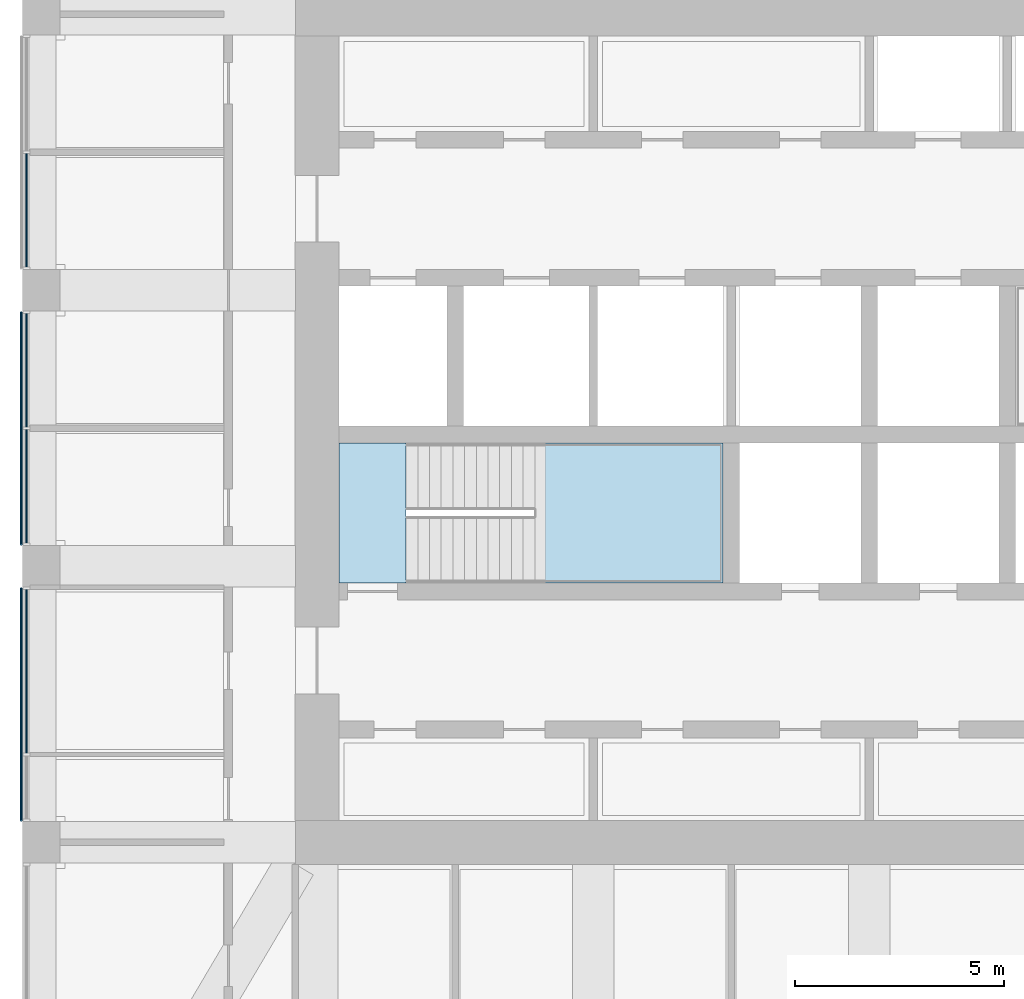
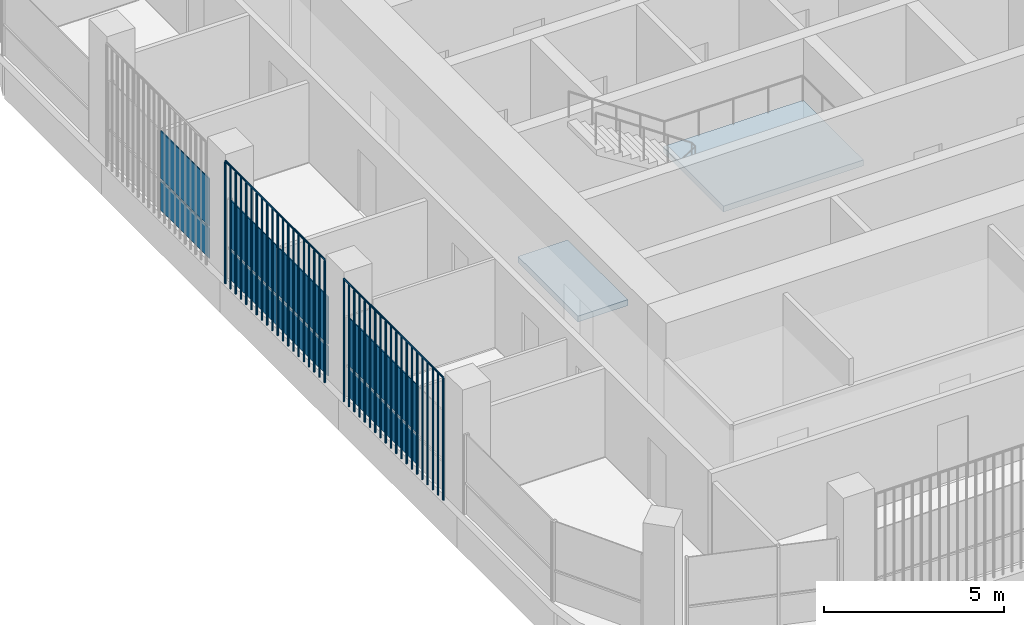
# One storey, part 9 of 21: 10 plates, 2 slabs, 4 elements without a shape of their own.
"""IFC4 building model written with IfcOpenShell, lengths in metres."""

from ifc_helpers import new_model, si_unit, direction, frame, origin, origin_2d, place, context, subcontext, project, spatial, polyline, rectangle, outline, extrude, material, layer, layer_set, type_object, element, aggregate, save


model = new_model("IFC4")

# Units and contexts
model_context = context("Model", 3, precision=1e-05, world=origin(), true_north=direction((0.0, 1.0)))
body_context = subcontext(model_context, "Body", "Model", "MODEL_VIEW")
ifc_project = project(units=[si_unit("LENGTHUNIT", "METRE"), si_unit("AREAUNIT", "SQUARE_METRE"), si_unit("VOLUMEUNIT", "CUBIC_METRE"), si_unit("PLANEANGLEUNIT", "RADIAN"), si_unit("MASSUNIT", "GRAM", prefix="KILO")], contexts=[model_context])

# Site, building, storey
site_placement = place(None, origin())
site = spatial("IfcSite", under=ifc_project, at=site_placement, CompositionType="ELEMENT")
building_placement = place(site_placement, origin())
building = spatial("IfcBuilding", under=site, at=building_placement, Name="Cobogo Forest Laboratory Tower", CompositionType="ELEMENT")
storey_placement = place(building_placement, frame((0.0, 0.0, 267.0)))
storey = spatial("IfcBuildingStorey", under=building, at=storey_placement, Name="L61", CompositionType="ELEMENT", Elevation=267.0)

# Curtain wall, plates
ifc_material_1 = material(Name="Aluminium curtain wall", Category="aluminium")
curtain_wall_type = type_object("IfcCurtainWallType", Name="CW-2 unitised curtain wall, solar control glazing, laboratory floors zones C and D", PredefinedType="USERDEFINED", material=ifc_material_1)
curtain_wall_1_placement = place(storey_placement, origin())
curtain_wall_1 = element("IfcCurtainWall", 1, at=curtain_wall_1_placement, inside=storey, type_object=curtain_wall_type, Name="Curtain wall 21 L61", ObjectType="UNITISED CURTAIN WALL", PredefinedType="USERDEFINED")
ifc_material_2 = material(Name="Solar control insulated glass", Category="glass")
ifc_layer_1 = layer(ifc_material_2, 0.031982421875)
ifc_layer_set_1 = layer_set([ifc_layer_1], Name="GP-2 solar control glass unit 32")
plate_type_1 = type_object("IfcPlateType", Name="GP-2 solar control glass unit 32", PredefinedType="CURTAIN_PANEL", material=ifc_layer_set_1)
plate_1_placement = place(storey_placement, frame((6.25, 28.31494140625, 0.0), z_axis=(0.0, 0.0, 1.0), x_axis=(0.0, -1.0, 0.0)))
plate_1 = element("IfcPlate", 2, at=plate_1_placement, type_object=plate_type_1, Name="CW-2 panel 2.1", PredefinedType="CURTAIN_PANEL", context=body_context, shape_type="SweptSolid", body=[
    extrude(rectangle(XDim=2.7099609375, YDim=0.031982421875, at=origin_2d()), origin(), (0.0, 0.0, 1.0), 1.02001953125),
])
plate_2_placement = place(storey_placement, frame((6.25, 28.31494140625, 1.079833984375), z_axis=(0.0, 0.0, 1.0), x_axis=(0.0, -1.0, 0.0)))
plate_2 = element("IfcPlate", 3, at=plate_2_placement, type_object=plate_type_1, Name="CW-2 panel 2.2", PredefinedType="CURTAIN_PANEL", context=body_context, shape_type="SweptSolid", body=[
    extrude(rectangle(XDim=2.7099609375, YDim=0.031982421875, at=origin_2d()), origin(), (0.0, 0.0, 1.0), 1.6201171875),
])
aggregate(curtain_wall_1, [plate_1, plate_2])

curtain_wall_2_placement = place(storey_placement, origin())
curtain_wall_2 = element("IfcCurtainWall", 4, at=curtain_wall_2_placement, inside=storey, type_object=curtain_wall_type, Name="Curtain wall 22 L61", ObjectType="UNITISED CURTAIN WALL", PredefinedType="USERDEFINED")
plate_3_placement = place(storey_placement, frame((6.25, 24.485107421875, 0.0), z_axis=(0.0, 0.0, 1.0), x_axis=(0.0, -1.0, 0.0)))
plate_3 = element("IfcPlate", 5, at=plate_3_placement, type_object=plate_type_1, Name="CW-2 panel 1.1", PredefinedType="CURTAIN_PANEL", context=body_context, shape_type="SweptSolid", body=[
    extrude(rectangle(XDim=2.7099609375, YDim=0.031982421875, at=origin_2d()), origin(), (0.0, 0.0, 1.0), 1.02001953125),
])
plate_4_placement = place(storey_placement, frame((6.25, 24.485107421875, 1.079833984375), z_axis=(0.0, 0.0, 1.0), x_axis=(0.0, -1.0, 0.0)))
plate_4 = element("IfcPlate", 6, at=plate_4_placement, type_object=plate_type_1, Name="CW-2 panel 1.2", PredefinedType="CURTAIN_PANEL", context=body_context, shape_type="SweptSolid", body=[
    extrude(rectangle(XDim=2.7099609375, YDim=0.031982421875, at=origin_2d()), origin(), (0.0, 0.0, 1.0), 1.6201171875),
])
plate_5_placement = place(storey_placement, frame((6.25, 21.715087890625, 0.0), z_axis=(0.0, 0.0, 1.0), x_axis=(0.0, -1.0, 0.0)))
plate_5 = element("IfcPlate", 7, at=plate_5_placement, type_object=plate_type_1, Name="CW-2 panel 2.1", PredefinedType="CURTAIN_PANEL", context=body_context, shape_type="SweptSolid", body=[
    extrude(rectangle(XDim=2.7099609375, YDim=0.031982421875, at=origin_2d()), origin(), (0.0, 0.0, 1.0), 1.02001953125),
])
plate_6_placement = place(storey_placement, frame((6.25, 21.715087890625, 1.079833984375), z_axis=(0.0, 0.0, 1.0), x_axis=(0.0, -1.0, 0.0)))
plate_6 = element("IfcPlate", 8, at=plate_6_placement, type_object=plate_type_1, Name="CW-2 panel 2.2", PredefinedType="CURTAIN_PANEL", context=body_context, shape_type="SweptSolid", body=[
    extrude(rectangle(XDim=2.7099609375, YDim=0.031982421875, at=origin_2d()), origin(), (0.0, 0.0, 1.0), 1.6201171875),
])
aggregate(curtain_wall_2, [plate_3, plate_4, plate_5, plate_6])

curtain_wall_3_placement = place(storey_placement, origin())
curtain_wall_3 = element("IfcCurtainWall", 9, at=curtain_wall_3_placement, inside=storey, type_object=curtain_wall_type, Name="Curtain wall 23 L61", ObjectType="UNITISED CURTAIN WALL", PredefinedType="USERDEFINED")
plate_7_placement = place(storey_placement, frame((6.25, 17.284912109375, 0.0), z_axis=(0.0, 0.0, 1.0), x_axis=(0.0, -1.0, 0.0)))
plate_7 = element("IfcPlate", 10, at=plate_7_placement, type_object=plate_type_1, Name="CW-2 panel 1.1", PredefinedType="CURTAIN_PANEL", context=body_context, shape_type="SweptSolid", body=[
    extrude(rectangle(XDim=3.909912109375, YDim=0.031982421875, at=origin_2d()), origin(), (0.0, 0.0, 1.0), 1.02001953125),
])
plate_8_placement = place(storey_placement, frame((6.25, 17.284912109375, 1.079833984375), z_axis=(0.0, 0.0, 1.0), x_axis=(0.0, -1.0, 0.0)))
plate_8 = element("IfcPlate", 11, at=plate_8_placement, type_object=plate_type_1, Name="CW-2 panel 1.2", PredefinedType="CURTAIN_PANEL", context=body_context, shape_type="SweptSolid", body=[
    extrude(rectangle(XDim=3.909912109375, YDim=0.031982421875, at=origin_2d()), origin(), (0.0, 0.0, 1.0), 1.6201171875),
])
aggregate(curtain_wall_3, [plate_7, plate_8])

# Stair, slabs
ifc_material_3 = material(Name="Precast concrete HA-40 (C40/50)", Category="concrete")
stair_type = type_object("IfcStairType", Name="ST24 exit stair 24 risers", PredefinedType="HALF_TURN_STAIR", material=ifc_material_3)
stair_placement = place(storey_placement, origin())
stair = element("IfcStair", 12, at=stair_placement, inside=storey, type_object=stair_type, Name="Stair 1 L61 to L62", PredefinedType="HALF_TURN_STAIR")
ifc_material_4 = material(Name="Concrete HA-40 (C40/50)", Category="concrete")
ifc_layer_2 = layer(ifc_material_4, 0.199951171875)
ifc_layer_set_2 = layer_set([ifc_layer_2], Name="SL stair landing 200")
slab_type = type_object("IfcSlabType", Name="SL stair landing 200", PredefinedType="LANDING", material=ifc_layer_set_2)
slab_1_placement = place(storey_placement, frame((0.0, 0.0, -0.199951171875)))
slab_1 = element("IfcSlab", 13, at=slab_1_placement, type_object=slab_type, Name="ST1 landing 1", PredefinedType="LANDING", context=body_context, shape_type="SweptSolid", body=[
    extrude(outline(polyline([(13.72509765625, 19.39990234375), (15.326904296875, 19.39990234375), (15.326904296875, 22.75), (13.72509765625, 22.75), (13.72509765625, 19.39990234375)])), origin(), (0.0, 0.0, 1.0), 0.199951171875),
])
slab_2_placement = place(storey_placement, frame((0.0, 0.0, 1.89990234375)))
slab_2 = element("IfcSlab", 14, at=slab_2_placement, type_object=slab_type, Name="ST1 landing 2", PredefinedType="LANDING", context=body_context, shape_type="SweptSolid", body=[
    extrude(outline(polyline([(18.403076171875, 19.39990234375), (22.89990234375, 19.39990234375), (22.89990234375, 22.75), (18.403076171875, 22.75), (18.403076171875, 19.39990234375)])), origin(), (0.0, 0.0, 1.0), 0.2001953125),
])
aggregate(stair, [slab_1, slab_2])

# Plates
ifc_material_5 = material(Name="Terracotta", Category="masonry")
plate_type_2 = type_object("IfcPlateType", Name="TB1 terracotta baguette screen", PredefinedType="USERDEFINED", material=ifc_material_5)
plate_9_placement = place(storey_placement, frame((6.1220703125, 13.731201171875, -0.14990234375)))
element("IfcPlate", 15, at=plate_9_placement, inside=storey, type_object=plate_type_2, Name="Baguette screen W1 L61", ObjectType="BAGUETTE SCREEN", PredefinedType="USERDEFINED", context=body_context, shape_type="SweptSolid", body=[
    extrude(outline(polyline([(0.02880859375, 0.011962890625), (0.011962890625, 0.02880859375), (-0.011962890625, 0.02880859375), (-0.02880859375, 0.011962890625), (-0.02880859375, -0.011962890625), (-0.011962890625, -0.02880859375), (0.011962890625, -0.02880859375), (0.02880859375, -0.011962890625), (0.02880859375, 0.011962890625)])), frame((0.0, 0.0, 4.168701171875), z_axis=(0.0, 1.0, 0.0), x_axis=(-1.0, 0.0, 0.0)), (0.0, 0.0, 1.0), 5.53759765625),
    extrude(outline(polyline([(0.02880859375, 0.011962890625), (0.011962890625, 0.02880859375), (-0.011962890625, 0.02880859375), (-0.02880859375, 0.011962890625), (-0.02880859375, -0.011962890625), (-0.011962890625, -0.02880859375), (0.011962890625, -0.02880859375), (0.02880859375, -0.011962890625), (0.02880859375, 0.011962890625)])), origin(), (0.0, 0.0, 1.0), 4.137451171875),
    extrude(outline(polyline([(0.02880859375, 0.011962890625), (0.011962890625, 0.02880859375), (-0.011962890625, 0.02880859375), (-0.02880859375, 0.011962890625), (-0.02880859375, -0.011962890625), (-0.011962890625, -0.02880859375), (0.011962890625, -0.02880859375), (0.02880859375, -0.011962890625), (0.02880859375, 0.011962890625)])), frame((0.0, 0.29150390625, 0.0)), (0.0, 0.0, 1.0), 4.137451171875),
    extrude(outline(polyline([(0.02880859375, 0.011962890625), (0.011962890625, 0.02880859375), (-0.011962890625, 0.02880859375), (-0.02880859375, 0.011962890625), (-0.02880859375, -0.011962890625), (-0.011962890625, -0.02880859375), (0.011962890625, -0.02880859375), (0.02880859375, -0.011962890625), (0.02880859375, 0.011962890625)])), frame((0.0, 0.5830078125, 0.0)), (0.0, 0.0, 1.0), 4.137451171875),
    extrude(outline(polyline([(0.02880859375, 0.011962890625), (0.011962890625, 0.02880859375), (-0.011962890625, 0.02880859375), (-0.02880859375, 0.011962890625), (-0.02880859375, -0.011962890625), (-0.011962890625, -0.02880859375), (0.011962890625, -0.02880859375), (0.02880859375, -0.011962890625), (0.02880859375, 0.011962890625)])), frame((0.0, 0.874267578125, 0.0)), (0.0, 0.0, 1.0), 4.137451171875),
    extrude(outline(polyline([(0.02880859375, 0.011962890625), (0.011962890625, 0.02880859375), (-0.011962890625, 0.02880859375), (-0.02880859375, 0.011962890625), (-0.02880859375, -0.011962890625), (-0.011962890625, -0.02880859375), (0.011962890625, -0.02880859375), (0.02880859375, -0.011962890625), (0.02880859375, 0.011962890625)])), frame((0.0, 1.165771484375, 0.0)), (0.0, 0.0, 1.0), 4.137451171875),
    extrude(outline(polyline([(0.02880859375, 0.011962890625), (0.011962890625, 0.02880859375), (-0.011962890625, 0.02880859375), (-0.02880859375, 0.011962890625), (-0.02880859375, -0.011962890625), (-0.011962890625, -0.02880859375), (0.011962890625, -0.02880859375), (0.02880859375, -0.011962890625), (0.02880859375, 0.011962890625)])), frame((0.0, 1.457275390625, 0.0)), (0.0, 0.0, 1.0), 4.137451171875),
    extrude(outline(polyline([(0.02880859375, 0.011962890625), (0.011962890625, 0.02880859375), (-0.011962890625, 0.02880859375), (-0.02880859375, 0.011962890625), (-0.02880859375, -0.011962890625), (-0.011962890625, -0.02880859375), (0.011962890625, -0.02880859375), (0.02880859375, -0.011962890625), (0.02880859375, 0.011962890625)])), frame((0.0, 1.748779296875, 0.0)), (0.0, 0.0, 1.0), 4.137451171875),
    extrude(outline(polyline([(0.02880859375, 0.011962890625), (0.011962890625, 0.02880859375), (-0.011962890625, 0.02880859375), (-0.02880859375, 0.011962890625), (-0.02880859375, -0.011962890625), (-0.011962890625, -0.02880859375), (0.011962890625, -0.02880859375), (0.02880859375, -0.011962890625), (0.02880859375, 0.011962890625)])), frame((0.0, 2.040283203125, 0.0)), (0.0, 0.0, 1.0), 4.137451171875),
    extrude(outline(polyline([(0.02880859375, 0.011962890625), (0.011962890625, 0.02880859375), (-0.011962890625, 0.02880859375), (-0.02880859375, 0.011962890625), (-0.02880859375, -0.011962890625), (-0.011962890625, -0.02880859375), (0.011962890625, -0.02880859375), (0.02880859375, -0.011962890625), (0.02880859375, 0.011962890625)])), frame((0.0, 2.33154296875, 0.0)), (0.0, 0.0, 1.0), 4.137451171875),
    extrude(outline(polyline([(0.02880859375, 0.011962890625), (0.011962890625, 0.02880859375), (-0.011962890625, 0.02880859375), (-0.02880859375, 0.011962890625), (-0.02880859375, -0.011962890625), (-0.011962890625, -0.02880859375), (0.011962890625, -0.02880859375), (0.02880859375, -0.011962890625), (0.02880859375, 0.011962890625)])), frame((0.0, 2.623046875, 0.0)), (0.0, 0.0, 1.0), 4.137451171875),
    extrude(outline(polyline([(0.02880859375, 0.011962890625), (0.011962890625, 0.02880859375), (-0.011962890625, 0.02880859375), (-0.02880859375, 0.011962890625), (-0.02880859375, -0.011962890625), (-0.011962890625, -0.02880859375), (0.011962890625, -0.02880859375), (0.02880859375, -0.011962890625), (0.02880859375, 0.011962890625)])), frame((0.0, 2.91455078125, 0.0)), (0.0, 0.0, 1.0), 4.137451171875),
    extrude(outline(polyline([(0.02880859375, 0.011962890625), (0.011962890625, 0.02880859375), (-0.011962890625, 0.02880859375), (-0.02880859375, 0.011962890625), (-0.02880859375, -0.011962890625), (-0.011962890625, -0.02880859375), (0.011962890625, -0.02880859375), (0.02880859375, -0.011962890625), (0.02880859375, 0.011962890625)])), frame((0.0, 3.2060546875, 0.0)), (0.0, 0.0, 1.0), 4.137451171875),
    extrude(outline(polyline([(0.02880859375, 0.011962890625), (0.011962890625, 0.02880859375), (-0.011962890625, 0.02880859375), (-0.02880859375, 0.011962890625), (-0.02880859375, -0.011962890625), (-0.011962890625, -0.02880859375), (0.011962890625, -0.02880859375), (0.02880859375, -0.011962890625), (0.02880859375, 0.011962890625)])), frame((0.0, 3.497314453125, 0.0)), (0.0, 0.0, 1.0), 4.137451171875),
    extrude(outline(polyline([(0.02880859375, 0.011962890625), (0.011962890625, 0.02880859375), (-0.011962890625, 0.02880859375), (-0.02880859375, 0.011962890625), (-0.02880859375, -0.011962890625), (-0.011962890625, -0.02880859375), (0.011962890625, -0.02880859375), (0.02880859375, -0.011962890625), (0.02880859375, 0.011962890625)])), frame((0.0, 3.788818359375, 0.0)), (0.0, 0.0, 1.0), 4.137451171875),
    extrude(outline(polyline([(0.02880859375, 0.011962890625), (0.011962890625, 0.02880859375), (-0.011962890625, 0.02880859375), (-0.02880859375, 0.011962890625), (-0.02880859375, -0.011962890625), (-0.011962890625, -0.02880859375), (0.011962890625, -0.02880859375), (0.02880859375, -0.011962890625), (0.02880859375, 0.011962890625)])), frame((0.0, 4.080322265625, 0.0)), (0.0, 0.0, 1.0), 4.137451171875),
    extrude(outline(polyline([(0.02880859375, 0.011962890625), (0.011962890625, 0.02880859375), (-0.011962890625, 0.02880859375), (-0.02880859375, 0.011962890625), (-0.02880859375, -0.011962890625), (-0.011962890625, -0.02880859375), (0.011962890625, -0.02880859375), (0.02880859375, -0.011962890625), (0.02880859375, 0.011962890625)])), frame((0.0, 4.371826171875, 0.0)), (0.0, 0.0, 1.0), 4.137451171875),
    extrude(outline(polyline([(0.02880859375, 0.011962890625), (0.011962890625, 0.02880859375), (-0.011962890625, 0.02880859375), (-0.02880859375, 0.011962890625), (-0.02880859375, -0.011962890625), (-0.011962890625, -0.02880859375), (0.011962890625, -0.02880859375), (0.02880859375, -0.011962890625), (0.02880859375, 0.011962890625)])), frame((0.0, 4.663330078125, 0.0)), (0.0, 0.0, 1.0), 4.137451171875),
    extrude(outline(polyline([(0.02880859375, 0.011962890625), (0.011962890625, 0.02880859375), (-0.011962890625, 0.02880859375), (-0.02880859375, 0.011962890625), (-0.02880859375, -0.011962890625), (-0.011962890625, -0.02880859375), (0.011962890625, -0.02880859375), (0.02880859375, -0.011962890625), (0.02880859375, 0.011962890625)])), frame((0.0, 4.95458984375, 0.0)), (0.0, 0.0, 1.0), 4.137451171875),
    extrude(outline(polyline([(0.02880859375, 0.011962890625), (0.011962890625, 0.02880859375), (-0.011962890625, 0.02880859375), (-0.02880859375, 0.011962890625), (-0.02880859375, -0.011962890625), (-0.011962890625, -0.02880859375), (0.011962890625, -0.02880859375), (0.02880859375, -0.011962890625), (0.02880859375, 0.011962890625)])), frame((0.0, 5.24609375, 0.0)), (0.0, 0.0, 1.0), 4.137451171875),
    extrude(outline(polyline([(0.02880859375, 0.011962890625), (0.011962890625, 0.02880859375), (-0.011962890625, 0.02880859375), (-0.02880859375, 0.011962890625), (-0.02880859375, -0.011962890625), (-0.011962890625, -0.02880859375), (0.011962890625, -0.02880859375), (0.02880859375, -0.011962890625), (0.02880859375, 0.011962890625)])), frame((0.0, 5.53759765625, 0.0)), (0.0, 0.0, 1.0), 4.137451171875),
])
plate_10_placement = place(storey_placement, frame((6.1220703125, 20.331298828125, -0.14990234375)))
element("IfcPlate", 16, at=plate_10_placement, inside=storey, type_object=plate_type_2, Name="Baguette screen W2 L61", ObjectType="BAGUETTE SCREEN", PredefinedType="USERDEFINED", context=body_context, shape_type="SweptSolid", body=[
    extrude(outline(polyline([(0.02880859375, 0.011962890625), (0.011962890625, 0.02880859375), (-0.011962890625, 0.02880859375), (-0.02880859375, 0.011962890625), (-0.02880859375, -0.011962890625), (-0.011962890625, -0.02880859375), (0.011962890625, -0.02880859375), (0.02880859375, -0.011962890625), (0.02880859375, 0.011962890625)])), frame((0.0, 0.0, 4.168701171875), z_axis=(0.0, 1.0, 0.0), x_axis=(-1.0, 0.0, 0.0)), (0.0, 0.0, 1.0), 5.537353515625),
    extrude(outline(polyline([(0.02880859375, 0.011962890625), (0.011962890625, 0.02880859375), (-0.011962890625, 0.02880859375), (-0.02880859375, 0.011962890625), (-0.02880859375, -0.011962890625), (-0.011962890625, -0.02880859375), (0.011962890625, -0.02880859375), (0.02880859375, -0.011962890625), (0.02880859375, 0.011962890625)])), origin(), (0.0, 0.0, 1.0), 4.137451171875),
    extrude(outline(polyline([(0.02880859375, 0.011962890625), (0.011962890625, 0.02880859375), (-0.011962890625, 0.02880859375), (-0.02880859375, 0.011962890625), (-0.02880859375, -0.011962890625), (-0.011962890625, -0.02880859375), (0.011962890625, -0.02880859375), (0.02880859375, -0.011962890625), (0.02880859375, 0.011962890625)])), frame((0.0, 0.29150390625, 0.0)), (0.0, 0.0, 1.0), 4.137451171875),
    extrude(outline(polyline([(0.02880859375, 0.011962890625), (0.011962890625, 0.02880859375), (-0.011962890625, 0.02880859375), (-0.02880859375, 0.011962890625), (-0.02880859375, -0.011962890625), (-0.011962890625, -0.02880859375), (0.011962890625, -0.02880859375), (0.02880859375, -0.011962890625), (0.02880859375, 0.011962890625)])), frame((0.0, 0.582763671875, 0.0)), (0.0, 0.0, 1.0), 4.137451171875),
    extrude(outline(polyline([(0.02880859375, 0.011962890625), (0.011962890625, 0.02880859375), (-0.011962890625, 0.02880859375), (-0.02880859375, 0.011962890625), (-0.02880859375, -0.011962890625), (-0.011962890625, -0.02880859375), (0.011962890625, -0.02880859375), (0.02880859375, -0.011962890625), (0.02880859375, 0.011962890625)])), frame((0.0, 0.874267578125, 0.0)), (0.0, 0.0, 1.0), 4.137451171875),
    extrude(outline(polyline([(0.02880859375, 0.011962890625), (0.011962890625, 0.02880859375), (-0.011962890625, 0.02880859375), (-0.02880859375, 0.011962890625), (-0.02880859375, -0.011962890625), (-0.011962890625, -0.02880859375), (0.011962890625, -0.02880859375), (0.02880859375, -0.011962890625), (0.02880859375, 0.011962890625)])), frame((0.0, 1.165771484375, 0.0)), (0.0, 0.0, 1.0), 4.137451171875),
    extrude(outline(polyline([(0.02880859375, 0.011962890625), (0.011962890625, 0.02880859375), (-0.011962890625, 0.02880859375), (-0.02880859375, 0.011962890625), (-0.02880859375, -0.011962890625), (-0.011962890625, -0.02880859375), (0.011962890625, -0.02880859375), (0.02880859375, -0.011962890625), (0.02880859375, 0.011962890625)])), frame((0.0, 1.457275390625, 0.0)), (0.0, 0.0, 1.0), 4.137451171875),
    extrude(outline(polyline([(0.02880859375, 0.011962890625), (0.011962890625, 0.02880859375), (-0.011962890625, 0.02880859375), (-0.02880859375, 0.011962890625), (-0.02880859375, -0.011962890625), (-0.011962890625, -0.02880859375), (0.011962890625, -0.02880859375), (0.02880859375, -0.011962890625), (0.02880859375, 0.011962890625)])), frame((0.0, 1.74853515625, 0.0)), (0.0, 0.0, 1.0), 4.137451171875),
    extrude(outline(polyline([(0.02880859375, 0.011962890625), (0.011962890625, 0.02880859375), (-0.011962890625, 0.02880859375), (-0.02880859375, 0.011962890625), (-0.02880859375, -0.011962890625), (-0.011962890625, -0.02880859375), (0.011962890625, -0.02880859375), (0.02880859375, -0.011962890625), (0.02880859375, 0.011962890625)])), frame((0.0, 2.0400390625, 0.0)), (0.0, 0.0, 1.0), 4.137451171875),
    extrude(outline(polyline([(0.02880859375, 0.011962890625), (0.011962890625, 0.02880859375), (-0.011962890625, 0.02880859375), (-0.02880859375, 0.011962890625), (-0.02880859375, -0.011962890625), (-0.011962890625, -0.02880859375), (0.011962890625, -0.02880859375), (0.02880859375, -0.011962890625), (0.02880859375, 0.011962890625)])), frame((0.0, 2.33154296875, 0.0)), (0.0, 0.0, 1.0), 4.137451171875),
    extrude(outline(polyline([(0.02880859375, 0.011962890625), (0.011962890625, 0.02880859375), (-0.011962890625, 0.02880859375), (-0.02880859375, 0.011962890625), (-0.02880859375, -0.011962890625), (-0.011962890625, -0.02880859375), (0.011962890625, -0.02880859375), (0.02880859375, -0.011962890625), (0.02880859375, 0.011962890625)])), frame((0.0, 2.623046875, 0.0)), (0.0, 0.0, 1.0), 4.137451171875),
    extrude(outline(polyline([(0.02880859375, 0.011962890625), (0.011962890625, 0.02880859375), (-0.011962890625, 0.02880859375), (-0.02880859375, 0.011962890625), (-0.02880859375, -0.011962890625), (-0.011962890625, -0.02880859375), (0.011962890625, -0.02880859375), (0.02880859375, -0.011962890625), (0.02880859375, 0.011962890625)])), frame((0.0, 2.914306640625, 0.0)), (0.0, 0.0, 1.0), 4.137451171875),
    extrude(outline(polyline([(0.02880859375, 0.011962890625), (0.011962890625, 0.02880859375), (-0.011962890625, 0.02880859375), (-0.02880859375, 0.011962890625), (-0.02880859375, -0.011962890625), (-0.011962890625, -0.02880859375), (0.011962890625, -0.02880859375), (0.02880859375, -0.011962890625), (0.02880859375, 0.011962890625)])), frame((0.0, 3.205810546875, 0.0)), (0.0, 0.0, 1.0), 4.137451171875),
    extrude(outline(polyline([(0.02880859375, 0.011962890625), (0.011962890625, 0.02880859375), (-0.011962890625, 0.02880859375), (-0.02880859375, 0.011962890625), (-0.02880859375, -0.011962890625), (-0.011962890625, -0.02880859375), (0.011962890625, -0.02880859375), (0.02880859375, -0.011962890625), (0.02880859375, 0.011962890625)])), frame((0.0, 3.497314453125, 0.0)), (0.0, 0.0, 1.0), 4.137451171875),
    extrude(outline(polyline([(0.02880859375, 0.011962890625), (0.011962890625, 0.02880859375), (-0.011962890625, 0.02880859375), (-0.02880859375, 0.011962890625), (-0.02880859375, -0.011962890625), (-0.011962890625, -0.02880859375), (0.011962890625, -0.02880859375), (0.02880859375, -0.011962890625), (0.02880859375, 0.011962890625)])), frame((0.0, 3.788818359375, 0.0)), (0.0, 0.0, 1.0), 4.137451171875),
    extrude(outline(polyline([(0.02880859375, 0.011962890625), (0.011962890625, 0.02880859375), (-0.011962890625, 0.02880859375), (-0.02880859375, 0.011962890625), (-0.02880859375, -0.011962890625), (-0.011962890625, -0.02880859375), (0.011962890625, -0.02880859375), (0.02880859375, -0.011962890625), (0.02880859375, 0.011962890625)])), frame((0.0, 4.080078125, 0.0)), (0.0, 0.0, 1.0), 4.137451171875),
    extrude(outline(polyline([(0.02880859375, 0.011962890625), (0.011962890625, 0.02880859375), (-0.011962890625, 0.02880859375), (-0.02880859375, 0.011962890625), (-0.02880859375, -0.011962890625), (-0.011962890625, -0.02880859375), (0.011962890625, -0.02880859375), (0.02880859375, -0.011962890625), (0.02880859375, 0.011962890625)])), frame((0.0, 4.37158203125, 0.0)), (0.0, 0.0, 1.0), 4.137451171875),
    extrude(outline(polyline([(0.02880859375, 0.011962890625), (0.011962890625, 0.02880859375), (-0.011962890625, 0.02880859375), (-0.02880859375, 0.011962890625), (-0.02880859375, -0.011962890625), (-0.011962890625, -0.02880859375), (0.011962890625, -0.02880859375), (0.02880859375, -0.011962890625), (0.02880859375, 0.011962890625)])), frame((0.0, 4.6630859375, 0.0)), (0.0, 0.0, 1.0), 4.137451171875),
    extrude(outline(polyline([(0.02880859375, 0.011962890625), (0.011962890625, 0.02880859375), (-0.011962890625, 0.02880859375), (-0.02880859375, 0.011962890625), (-0.02880859375, -0.011962890625), (-0.011962890625, -0.02880859375), (0.011962890625, -0.02880859375), (0.02880859375, -0.011962890625), (0.02880859375, 0.011962890625)])), frame((0.0, 4.95458984375, 0.0)), (0.0, 0.0, 1.0), 4.137451171875),
    extrude(outline(polyline([(0.02880859375, 0.011962890625), (0.011962890625, 0.02880859375), (-0.011962890625, 0.02880859375), (-0.02880859375, 0.011962890625), (-0.02880859375, -0.011962890625), (-0.011962890625, -0.02880859375), (0.011962890625, -0.02880859375), (0.02880859375, -0.011962890625), (0.02880859375, 0.011962890625)])), frame((0.0, 5.245849609375, 0.0)), (0.0, 0.0, 1.0), 4.137451171875),
    extrude(outline(polyline([(0.02880859375, 0.011962890625), (0.011962890625, 0.02880859375), (-0.011962890625, 0.02880859375), (-0.02880859375, 0.011962890625), (-0.02880859375, -0.011962890625), (-0.011962890625, -0.02880859375), (0.011962890625, -0.02880859375), (0.02880859375, -0.011962890625), (0.02880859375, 0.011962890625)])), frame((0.0, 5.537353515625, 0.0)), (0.0, 0.0, 1.0), 4.137451171875),
])

save(model, "model.ifc")
